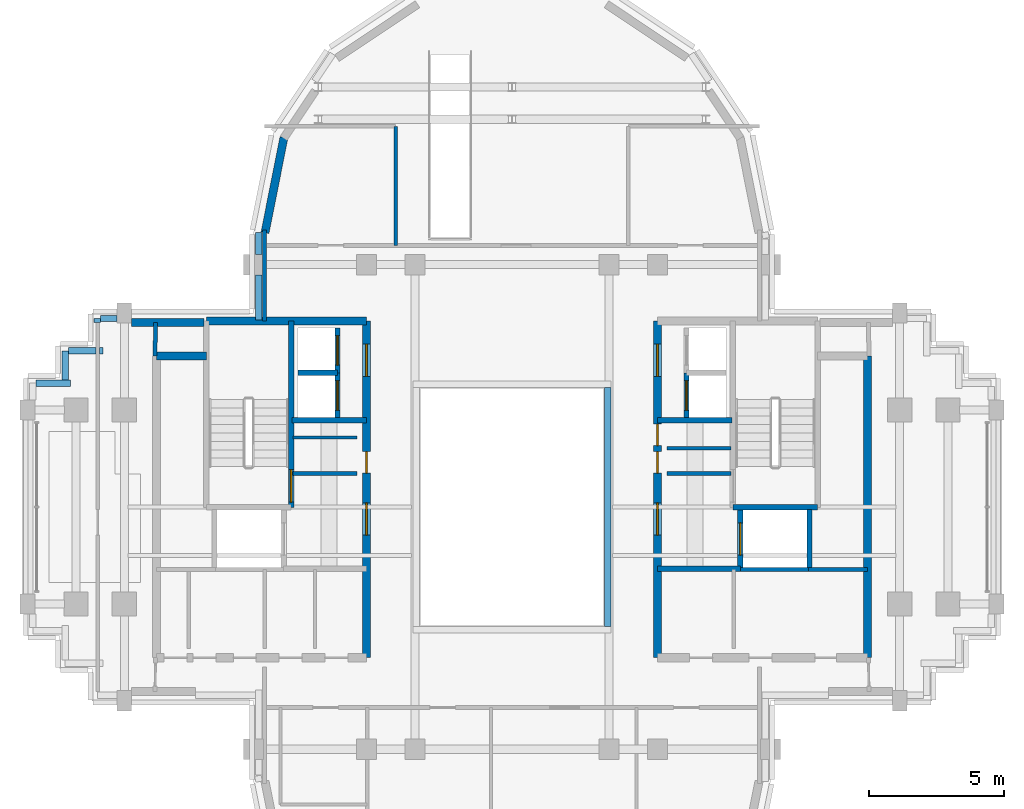
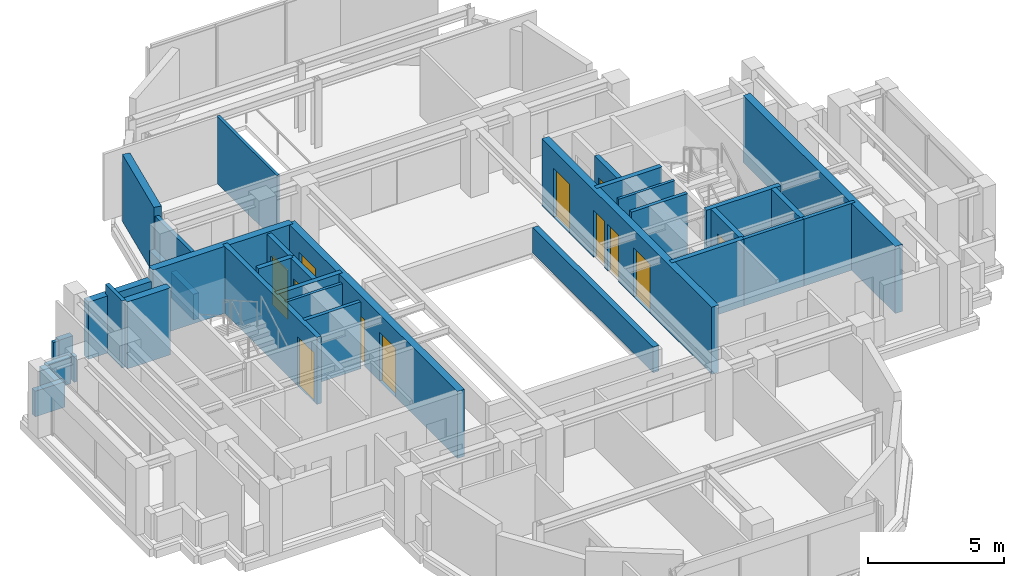
# One storey, part 9 of 12: 36 walls, 12 doors, 12 openings.
"""IFC4 building model written with IfcOpenShell, lengths in metres."""

from ifc_helpers import new_model, si_unit, direction, frame, frame_2d, origin, place, context, subcontext, project, spatial, rectangle, extrude, source, transform, mapped, material, layer, layer_set, type_object, element, fill, save


model = new_model("IFC4")

# Units and contexts
model_context = context("Model", 3, precision=1e-05, world=origin(), true_north=direction((0.0, 1.0)))
body_context = subcontext(model_context, "Body", "Model", "MODEL_VIEW")
ifc_project = project(units=[si_unit("LENGTHUNIT", "METRE"), si_unit("AREAUNIT", "SQUARE_METRE"), si_unit("VOLUMEUNIT", "CUBIC_METRE"), si_unit("PLANEANGLEUNIT", "RADIAN"), si_unit("MASSUNIT", "GRAM", prefix="KILO")], contexts=[model_context])

# Site, building, storey
site_placement = place(None, origin())
site = spatial("IfcSite", under=ifc_project, at=site_placement, CompositionType="ELEMENT")
building_placement = place(site_placement, origin())
building = spatial("IfcBuilding", under=site, at=building_placement, Name="Keilestroom Media Tower", CompositionType="ELEMENT")
storey_placement = place(building_placement, frame((0.0, 0.0, 223.60009765625)))
storey = spatial("IfcBuildingStorey", under=building, at=storey_placement, Name="L61", CompositionType="ELEMENT", Elevation=223.60009765625)

# Walls
ifc_material_1 = material(Name="Precast concrete C40/50", Category="concrete")
ifc_layer_1 = layer(ifc_material_1, 0.300048828125)
ifc_layer_set_1 = layer_set([ifc_layer_1], Name="Precast concrete C40/50")
wall_type_1 = type_object("IfcWallType", Name="Exterior-Masonry-Spandrel-Wall-300", PredefinedType="SOLIDWALL", material=ifc_layer_set_1)
wall_1_placement = place(storey_placement, frame((-14.133056640625, 6.85009765625, 0.0), z_axis=(0.0, 0.0, 1.0), x_axis=(1.0, 0.0, 0.0)))
element("IfcWall", 1, at=wall_1_placement, inside=storey, type_object=wall_type_1, Name="L61 Flank Masonry Wall EWL-L61-NW-1", PredefinedType="SOLIDWALL", context=body_context, shape_type="SweptSolid", body=[
    extrude(rectangle(XDim=2.68505859375, YDim=0.300048828125, at=frame_2d((1.342529296875, 0.0))), origin(), (0.0, 0.0, 1.0), 2.56982421875),
])
wall_2_placement = place(storey_placement, frame((-8.470703125, 13.724609375, 0.0), z_axis=(0.0, 0.0, 1.0), x_axis=(-0.195114232679, -0.980780523974, 0.0)))
element("IfcWall", 2, at=wall_2_placement, inside=storey, type_object=wall_type_1, Name="L61 Lobe Facet Precast Frame Wall 06", PredefinedType="SOLIDWALL", context=body_context, shape_type="SweptSolid", body=[
    extrude(rectangle(XDim=3.608642578125, YDim=0.300048828125, at=frame_2d((1.80419921875, 0.0))), origin(), (0.0, 0.0, 1.0), 3.010009765625),
])
ifc_material_2 = material(Name="Gypsum Plasterboard & Steel Stud", Category="steel")
ifc_layer_2 = layer(ifc_material_2, 0.1201171875)
ifc_layer_set_2 = layer_set([ifc_layer_2], Name="Gypsum Plasterboard & Steel Stud")
wall_type_2 = type_object("IfcWallType", Name="Interior-Partition-Wall-120", PredefinedType="PARTITIONING", material=ifc_layer_set_2)
for number, where, z_axis, x_axis, name in (
    (3, (-8.139892578125, 2.580078125, 0.0), (0.0, 0.0, 1.0), (1.0, 0.0, 0.0), "L61 Interior Wall WP-L61-CNW-N"),
    (4, (5.75, 2.179931640625, 0.0), (0.0, 0.0, 1.0), (1.0, 0.0, 0.0), "L61 Interior Wall WP-L61-CNE-N"),
):
    element("IfcWall", number, at=place(storey_placement, frame(where, z_axis=z_axis, x_axis=x_axis)), inside=storey, type_object=wall_type_2, Name=name, PredefinedType="PARTITIONING", context=body_context, shape_type="SweptSolid", body=[
        extrude(rectangle(XDim=2.389892578125, YDim=0.1201171875, at=frame_2d((1.19482421875, 0.0))), origin(), (0.0, 0.0, 1.0), 3.010009765625),
    ])
wall_3_placement = place(storey_placement, frame((-4.320068359375, 9.719970703125, 0.0), z_axis=(0.0, 0.0, 1.0), x_axis=(0.0, 1.0, 0.0)))
element("IfcWall", 5, at=wall_3_placement, inside=storey, type_object=wall_type_2, Name="L61 Interior Wall WP-L61-NL-VW2", PredefinedType="PARTITIONING", context=body_context, shape_type="SweptSolid", body=[
    extrude(rectangle(XDim=4.419921875, YDim=0.1201171875, at=frame_2d((2.2099609375, 0.0))), origin(), (0.0, 0.0, 1.0), 3.010009765625),
])
ifc_layer_3 = layer(ifc_material_2, 0.14990234375)
ifc_layer_set_3 = layer_set([ifc_layer_3], Name="Gypsum Plasterboard & Steel Stud")
wall_type_3 = type_object("IfcWallType", Name="Interior-Partition-Wall-150", PredefinedType="PARTITIONING", material=ifc_layer_set_3)
for number, where, z_axis, x_axis, name in (
    (6, (-8.139892578125, 1.239990234375, 0.0), (0.0, 0.0, 1.0), (1.0, 0.0, 0.0), "L61 Interior Wall WP-L61-FFW-TOP"),
    (7, (5.75, 1.239990234375, 0.0), (0.0, 0.0, 1.0), (1.0, 0.0, 0.0), "L61 Interior Wall WP-L61-FFE-TOP"),
):
    element("IfcWall", number, at=place(storey_placement, frame(where, z_axis=z_axis, x_axis=x_axis)), inside=storey, type_object=wall_type_3, Name=name, PredefinedType="PARTITIONING", context=body_context, shape_type="SweptSolid", body=[
        extrude(rectangle(XDim=2.389892578125, YDim=0.14990234375, at=frame_2d((1.19482421875, 0.0))), origin(), (0.0, 0.0, 1.0), 3.010009765625),
    ])
wall_4_placement = place(storey_placement, frame((11.02001953125, -2.320068359375, 0.0), z_axis=(0.0, 0.0, 1.0), x_axis=(1.0, 0.0, 0.0)))
element("IfcWall", 8, at=wall_4_placement, inside=storey, type_object=wall_type_3, Name="L61 Interior Wall WP-L61-RECLE-N", PredefinedType="PARTITIONING", context=body_context, shape_type="SweptSolid", body=[
    extrude(rectangle(XDim=2.179931640625, YDim=0.14990234375, at=frame_2d((1.08984375, 0.0))), origin(), (0.0, 0.0, 1.0), 3.010009765625),
])
wall_5_placement = place(storey_placement, frame((8.47998046875, -2.320068359375, 0.0), z_axis=(0.0, 0.0, 1.0), x_axis=(1.0, 0.0, 0.0)))
element("IfcWall", 9, at=wall_5_placement, inside=storey, type_object=wall_type_3, Name="L61 Interior Wall WP-L61-RECME-N", PredefinedType="PARTITIONING", context=body_context, shape_type="SweptSolid", body=[
    extrude(rectangle(XDim=2.56005859375, YDim=0.14990234375, at=frame_2d((1.280029296875, 0.0))), origin(), (0.0, 0.0, 1.0), 3.010009765625),
])
wall_6_placement = place(storey_placement, frame((-9.199951171875, 6.89990234375, 0.0), z_axis=(0.0, 0.0, 1.0), x_axis=(0.0, 1.0, 0.0)))
element("IfcWall", 10, at=wall_6_placement, inside=storey, type_object=wall_type_3, Name="L61 Interior Wall WP-L61-NL-CHKW", PredefinedType="PARTITIONING", context=body_context, shape_type="SweptSolid", body=[
    extrude(rectangle(XDim=3.380126953125, YDim=0.14990234375, at=frame_2d((1.68994140625, 0.0))), origin(), (0.0, 0.0, 1.0), 2.60986328125),
])
wall_7_placement = place(storey_placement, frame((-13.260009765625, 5.60009765625, 0.0), z_axis=(0.0, 0.0, 1.0), x_axis=(0.016013571389, 0.999871774545, 0.0)))
element("IfcWall", 11, at=wall_7_placement, inside=storey, type_object=wall_type_3, Name="L61 Interior Wall WP-L61-WA-ENTN", PredefinedType="PARTITIONING", context=body_context, shape_type="SweptSolid", body=[
    extrude(rectangle(XDim=1.250244140625, YDim=0.14990234375, at=frame_2d((0.625, 0.0))), origin(), (0.0, 0.0, 1.0), 3.010009765625),
])

# Wall, openings, doors
ifc_material_3 = material(Name="Concrete C50/60", Category="concrete")
ifc_layer_4 = layer(ifc_material_3, 0.300048828125)
ifc_layer_set_4 = layer_set([ifc_layer_4], Name="Concrete C50/60")
wall_type_4 = type_object("IfcWallType", Name="Reinforced-Concrete-Core-Shear-Wall-300", PredefinedType="SHEAR", material=ifc_layer_set_4)
wall_8_placement = place(storey_placement, frame((-5.39990234375, -5.60009765625, 0.0), z_axis=(0.0, 0.0, 1.0), x_axis=(0.0, 1.0, 0.0)))
wall_8 = element("IfcWall", 12, at=wall_8_placement, inside=storey, type_object=wall_type_4, Name="L61 Core Shear Wall WL-L61-CORE-W-IN", PredefinedType="SHEAR", context=body_context, shape_type="SweptSolid", body=[
    extrude(rectangle(XDim=12.5, YDim=0.300048828125, at=frame_2d((6.25, 0.0))), origin(), (0.0, 0.0, 1.0), 3.010009765625),
])
opening_1_placement = place(wall_8_placement, frame((4.550048828125, 0.0, 0.0)))
opening_1 = element("IfcOpeningElement", 13, at=opening_1_placement, cuts=wall_8, Name="Opening DI-02", PredefinedType="OPENING", context=body_context, shape_type="SweptSolid", body=[
    extrude(rectangle(XDim=1.199951171875, YDim=2.199951171875, at=frame_2d((0.60009765625, 1.10009765625))), frame((0.0, 0.16015625, 0.0), z_axis=(0.0, -1.0, 0.0), x_axis=(1.0, 0.0, 0.0)), (0.0, 0.0, 1.0), 0.320068359375),
])
opening_2_placement = place(wall_8_placement, frame((10.449951171875, 0.0, 0.0)))
opening_2 = element("IfcOpeningElement", 14, at=opening_2_placement, cuts=wall_8, Name="Opening DI-02", PredefinedType="OPENING", context=body_context, shape_type="SweptSolid", body=[
    extrude(rectangle(XDim=1.199951171875, YDim=2.199951171875, at=frame_2d((0.60009765625, 1.10009765625))), frame((0.0, 0.16015625, 0.0), z_axis=(0.0, -1.0, 0.0), x_axis=(1.0, 0.0, 0.0)), (0.0, 0.0, 1.0), 0.320068359375),
])
opening_3_placement = place(wall_8_placement, frame((6.860107421875, 0.0, 0.0)))
opening_3 = element("IfcOpeningElement", 15, at=opening_3_placement, cuts=wall_8, Name="Opening DI-06", PredefinedType="OPENING", context=body_context, shape_type="SweptSolid", body=[
    extrude(rectangle(XDim=0.800048828125, YDim=2.10009765625, at=frame_2d((0.39990234375, 1.050048828125))), frame((0.0, 0.16015625, 0.0), z_axis=(0.0, -1.0, 0.0), x_axis=(1.0, 0.0, 0.0)), (0.0, 0.0, 1.0), 0.320068359375),
])
ifc_material_4 = material(Name="Powder-Coated Steel Fire Leaf", Category="steel")
door_type_1 = type_object("IfcDoorType", Name="Interior-Compartment-Fire-Door-DI-02", OperationType="NOTDEFINED", PredefinedType="DOOR", material=ifc_material_4)
shared_shape_1 = source(origin(), body_context, "Body", "SweptSolid", [
    extrude(rectangle(XDim=1.199951171875, YDim=2.199951171875, at=frame_2d((0.60009765625, 1.10009765625))), frame((0.0, 0.02490234375, 0.0), z_axis=(0.0, -1.0, 0.0), x_axis=(1.0, 0.0, 0.0)), (0.0, 0.0, 1.0), 0.050048828125),
])
door_1_placement = place(opening_1_placement, origin())
door_1 = element("IfcDoor", 16, at=door_1_placement, inside=storey, type_object=door_type_1, Name="L61 W Firefighting Lobby Door", OperationType="SINGLE_SWING_RIGHT", OverallHeight=2.199951171875, OverallWidth=1.199951171875, PredefinedType="DOOR", context=body_context, shape_type="MappedRepresentation", body=[
    mapped(shared_shape_1, transform((0.0, 0.0, 0.0), x_axis=(1.0, 0.0, 0.0), y_axis=(0.0, 1.0, 0.0), z_axis=(0.0, 0.0, 1.0), scale=1.0)),
])
fill(opening_1, door_1)
door_2_placement = place(opening_2_placement, origin())
door_2 = element("IfcDoor", 17, at=door_2_placement, inside=storey, type_object=door_type_1, Name="L61 W High-Rise Lift Lobby Door", OperationType="SINGLE_SWING_LEFT", OverallHeight=2.199951171875, OverallWidth=1.199951171875, PredefinedType="DOOR", context=body_context, shape_type="MappedRepresentation", body=[
    mapped(shared_shape_1, transform((0.0, 0.0, 0.0), x_axis=(1.0, 0.0, 0.0), y_axis=(0.0, 1.0, 0.0), z_axis=(0.0, 0.0, 1.0), scale=1.0)),
])
fill(opening_2, door_2)
ifc_material_5 = material(Name="Powder-Coated Steel Service Leaf", Category="steel")
door_type_2 = type_object("IfcDoorType", Name="Interior-Riser-Access-Door-DI-06", OperationType="NOTDEFINED", PredefinedType="DOOR", material=ifc_material_5)
shared_shape_2 = source(origin(), body_context, "Body", "SweptSolid", [
    extrude(rectangle(XDim=0.800048828125, YDim=2.10009765625, at=frame_2d((0.39990234375, 1.050048828125))), frame((0.0, 0.02490234375, 0.0), z_axis=(0.0, -1.0, 0.0), x_axis=(1.0, 0.0, 0.0)), (0.0, 0.0, 1.0), 0.050048828125),
])
door_3_placement = place(opening_3_placement, origin())
door_3 = element("IfcDoor", 18, at=door_3_placement, inside=storey, type_object=door_type_2, Name="L61 West Core Switchroom Door", OperationType="SINGLE_SWING_LEFT", OverallHeight=2.10009765625, OverallWidth=0.800048828125, PredefinedType="DOOR", context=body_context, shape_type="MappedRepresentation", body=[
    mapped(shared_shape_2, transform((0.0, 0.0, 0.0), x_axis=(1.0, 0.0, 0.0), y_axis=(0.0, 1.0, 0.0), z_axis=(0.0, 0.0, 1.0), scale=1.0)),
])
fill(opening_3, door_3)

# Walls
wall_9_placement = place(storey_placement, frame((-11.35595703125, 6.89990234375, 0.0), z_axis=(0.0, 0.0, 1.0), x_axis=(1.0, 0.0, 0.0)))
element("IfcWall", 19, at=wall_9_placement, inside=storey, type_object=wall_type_4, Name="L61 Core Shear Wall WL-L61-CORE-W-N", PredefinedType="SHEAR", context=body_context, shape_type="SweptSolid", body=[
    extrude(rectangle(XDim=5.9560546875, YDim=0.300048828125, at=frame_2d((2.97802734375, 0.0))), origin(), (0.0, 0.0, 1.0), 3.010009765625),
])
wall_10_placement = place(storey_placement, frame((-13.199951171875, 5.60009765625, 0.0), z_axis=(0.0, 0.0, 1.0), x_axis=(1.0, 0.0, 0.0)))
element("IfcWall", 20, at=wall_10_placement, inside=storey, type_object=wall_type_4, Name="L61 Core Shear Wall WL-L61-CNW-N", PredefinedType="SHEAR", context=body_context, shape_type="SweptSolid", body=[
    extrude(rectangle(XDim=1.843994140625, YDim=0.300048828125, at=frame_2d((0.921875, 0.0))), origin(), (0.0, 0.0, 1.0), 3.010009765625),
])
wall_11_placement = place(storey_placement, frame((13.199951171875, -5.60009765625, 0.0), z_axis=(0.0, 0.0, 1.0), x_axis=(0.0, 1.0, 0.0)))
element("IfcWall", 21, at=wall_11_placement, inside=storey, type_object=wall_type_4, Name="L61 Core Shear Wall WL-L61-CORE-E-OUT", PredefinedType="SHEAR", context=body_context, shape_type="SweptSolid", body=[
    extrude(rectangle(XDim=11.2001953125, YDim=0.300048828125, at=frame_2d((5.60009765625, 0.0))), origin(), (0.0, 0.0, 1.0), 3.010009765625),
])

# Wall, openings, doors
wall_12_placement = place(storey_placement, frame((5.39990234375, -5.60009765625, 0.0), z_axis=(0.0, 0.0, 1.0), x_axis=(0.0, 1.0, 0.0)))
wall_12 = element("IfcWall", 22, at=wall_12_placement, inside=storey, type_object=wall_type_4, Name="L61 Core Shear Wall WL-L61-CORE-E-IN", PredefinedType="SHEAR", context=body_context, shape_type="SweptSolid", body=[
    extrude(rectangle(XDim=12.5, YDim=0.300048828125, at=frame_2d((6.25, 0.0))), origin(), (0.0, 0.0, 1.0), 3.010009765625),
])
opening_4_placement = place(wall_12_placement, frame((4.550048828125, 0.0, 0.0)))
opening_4 = element("IfcOpeningElement", 23, at=opening_4_placement, cuts=wall_12, Name="Opening DI-02", PredefinedType="OPENING", context=body_context, shape_type="SweptSolid", body=[
    extrude(rectangle(XDim=1.199951171875, YDim=2.199951171875, at=frame_2d((0.60009765625, 1.10009765625))), frame((0.0, 0.16015625, 0.0), z_axis=(0.0, -1.0, 0.0), x_axis=(1.0, 0.0, 0.0)), (0.0, 0.0, 1.0), 0.320068359375),
])
opening_5_placement = place(wall_12_placement, frame((10.449951171875, 0.0, 0.0)))
opening_5 = element("IfcOpeningElement", 24, at=opening_5_placement, cuts=wall_12, Name="Opening DI-02", PredefinedType="OPENING", context=body_context, shape_type="SweptSolid", body=[
    extrude(rectangle(XDim=1.199951171875, YDim=2.199951171875, at=frame_2d((0.60009765625, 1.10009765625))), frame((0.0, 0.16015625, 0.0), z_axis=(0.0, -1.0, 0.0), x_axis=(1.0, 0.0, 0.0)), (0.0, 0.0, 1.0), 0.320068359375),
])
opening_6_placement = place(wall_12_placement, frame((6.860107421875, 0.0, 0.0)))
opening_6 = element("IfcOpeningElement", 25, at=opening_6_placement, cuts=wall_12, Name="Opening DI-06", PredefinedType="OPENING", context=body_context, shape_type="SweptSolid", body=[
    extrude(rectangle(XDim=0.800048828125, YDim=2.10009765625, at=frame_2d((0.39990234375, 1.050048828125))), frame((0.0, 0.16015625, 0.0), z_axis=(0.0, -1.0, 0.0), x_axis=(1.0, 0.0, 0.0)), (0.0, 0.0, 1.0), 0.320068359375),
])
opening_7_placement = place(wall_12_placement, frame((7.8798828125, 0.0, 0.0)))
opening_7 = element("IfcOpeningElement", 26, at=opening_7_placement, cuts=wall_12, Name="Opening DI-06", PredefinedType="OPENING", context=body_context, shape_type="SweptSolid", body=[
    extrude(rectangle(XDim=0.800048828125, YDim=2.10009765625, at=frame_2d((0.39990234375, 1.050048828125))), frame((0.0, 0.16015625, 0.0), z_axis=(0.0, -1.0, 0.0), x_axis=(1.0, 0.0, 0.0)), (0.0, 0.0, 1.0), 0.320068359375),
])
door_4_placement = place(opening_4_placement, origin())
door_4 = element("IfcDoor", 27, at=door_4_placement, inside=storey, type_object=door_type_1, Name="L61 E Firefighting Lobby Door", OperationType="SINGLE_SWING_LEFT", OverallHeight=2.199951171875, OverallWidth=1.199951171875, PredefinedType="DOOR", context=body_context, shape_type="MappedRepresentation", body=[
    mapped(shared_shape_1, transform((0.0, 0.0, 0.0), x_axis=(1.0, 0.0, 0.0), y_axis=(0.0, 1.0, 0.0), z_axis=(0.0, 0.0, 1.0), scale=1.0)),
])
fill(opening_4, door_4)
door_5_placement = place(opening_5_placement, origin())
door_5 = element("IfcDoor", 28, at=door_5_placement, inside=storey, type_object=door_type_1, Name="L61 E High-Rise Lift Lobby Door", OperationType="SINGLE_SWING_RIGHT", OverallHeight=2.199951171875, OverallWidth=1.199951171875, PredefinedType="DOOR", context=body_context, shape_type="MappedRepresentation", body=[
    mapped(shared_shape_1, transform((0.0, 0.0, 0.0), x_axis=(1.0, 0.0, 0.0), y_axis=(0.0, 1.0, 0.0), z_axis=(0.0, 0.0, 1.0), scale=1.0)),
])
fill(opening_5, door_5)
door_6_placement = place(opening_6_placement, origin())
door_6 = element("IfcDoor", 29, at=door_6_placement, inside=storey, type_object=door_type_2, Name="L61 East Core Telecom Door", OperationType="SINGLE_SWING_RIGHT", OverallHeight=2.10009765625, OverallWidth=0.800048828125, PredefinedType="DOOR", context=body_context, shape_type="MappedRepresentation", body=[
    mapped(shared_shape_2, transform((0.0, 0.0, 0.0), x_axis=(1.0, 0.0, 0.0), y_axis=(0.0, 1.0, 0.0), z_axis=(0.0, 0.0, 1.0), scale=1.0)),
])
fill(opening_6, door_6)
door_7_placement = place(opening_7_placement, origin())
door_7 = element("IfcDoor", 30, at=door_7_placement, inside=storey, type_object=door_type_2, Name="L61 East Core Closet Door", OperationType="SINGLE_SWING_RIGHT", OverallHeight=2.10009765625, OverallWidth=0.800048828125, PredefinedType="DOOR", context=body_context, shape_type="MappedRepresentation", body=[
    mapped(shared_shape_2, transform((0.0, 0.0, 0.0), x_axis=(1.0, 0.0, 0.0), y_axis=(0.0, 1.0, 0.0), z_axis=(0.0, 0.0, 1.0), scale=1.0)),
])
fill(opening_7, door_7)

# Wall
ifc_layer_5 = layer(ifc_material_3, 0.199951171875)
ifc_layer_set_5 = layer_set([ifc_layer_5], Name="Concrete C50/60")
wall_type_5 = type_object("IfcWallType", Name="Reinforced-Concrete-Shaft-Wall-200", PredefinedType="SOLIDWALL", material=ifc_layer_set_5)
wall_13_placement = place(storey_placement, frame((-8.179931640625, 3.219970703125, 0.0), z_axis=(0.0, 0.0, 1.0), x_axis=(1.0, 0.0, 0.0)))
element("IfcWall", 31, at=wall_13_placement, inside=storey, type_object=wall_type_5, Name="L61 Core Shear Wall WL-L61-CORE-W-FFN", PredefinedType="SOLIDWALL", context=body_context, shape_type="SweptSolid", body=[
    extrude(rectangle(XDim=2.780029296875, YDim=0.199951171875, at=frame_2d((1.39013671875, 0.0))), origin(), (0.0, 0.0, 1.0), 3.010009765625),
])

# Wall, opening, door
wall_14_placement = place(storey_placement, frame((-8.2041015625, -0.01611328125, 0.0), z_axis=(0.0, 0.0, 1.0), x_axis=(0.0, 1.0, 0.0)))
wall_14 = element("IfcWall", 32, at=wall_14_placement, inside=storey, type_object=wall_type_5, Name="L61 Core Shear Wall WL-L61-STW-W-NEAR", PredefinedType="SOLIDWALL", context=body_context, shape_type="SweptSolid", body=[
    extrude(rectangle(XDim=6.916015625, YDim=0.199951171875, at=frame_2d((3.4580078125, 0.0))), origin(), (0.0, 0.0, 1.0), 3.010009765625),
])
opening_8_placement = place(wall_14_placement, frame((0.199951171875, 0.0, 0.0)))
opening_8 = element("IfcOpeningElement", 33, at=opening_8_placement, cuts=wall_14, Name="Opening DI-01S", PredefinedType="OPENING", context=body_context, shape_type="SweptSolid", body=[
    extrude(rectangle(XDim=1.199951171875, YDim=2.199951171875, at=frame_2d((0.60009765625, 1.10009765625))), frame((0.0, 0.10986328125, 0.0), z_axis=(0.0, -1.0, 0.0), x_axis=(1.0, 0.0, 0.0)), (0.0, 0.0, 1.0), 0.219970703125),
])
door_type_3 = type_object("IfcDoorType", Name="Interior-Stair-And-Core-Fire-Door-DI-01", OperationType="NOTDEFINED", PredefinedType="DOOR", material=ifc_material_4)
door_8_placement = place(opening_8_placement, origin())
door_8 = element("IfcDoor", 34, at=door_8_placement, inside=storey, type_object=door_type_3, Name="L61 Escape Stair ST-1 Fire Door", OperationType="SINGLE_SWING_LEFT", OverallHeight=2.199951171875, OverallWidth=1.199951171875, PredefinedType="DOOR", context=body_context, shape_type="MappedRepresentation", body=[
    mapped(shared_shape_1, transform((0.0, 0.0, 0.0), x_axis=(1.0, 0.0, 0.0), y_axis=(0.0, 1.0, 0.0), z_axis=(0.0, 0.0, 1.0), scale=1.0)),
])
fill(opening_8, door_8)

# Walls
wall_15_placement = place(storey_placement, frame((5.39990234375, 3.219970703125, 0.0), z_axis=(0.0, 0.0, 1.0), x_axis=(1.0, 0.0, 0.0)))
element("IfcWall", 35, at=wall_15_placement, inside=storey, type_object=wall_type_5, Name="L61 Core Shear Wall WL-L61-CORE-E-FFN", PredefinedType="SOLIDWALL", context=body_context, shape_type="SweptSolid", body=[
    extrude(rectangle(XDim=2.780029296875, YDim=0.199951171875, at=frame_2d((1.39013671875, 0.0))), origin(), (0.0, 0.0, 1.0), 3.010009765625),
])
wall_16_placement = place(storey_placement, frame((5.39990234375, -2.300048828125, 0.0), z_axis=(0.0, 0.0, 1.0), x_axis=(1.0, 0.0, 0.0)))
element("IfcWall", 36, at=wall_16_placement, inside=storey, type_object=wall_type_5, Name="L61 Core Shear Wall WL-L61-CORE-E-FFS", PredefinedType="SOLIDWALL", context=body_context, shape_type="SweptSolid", body=[
    extrude(rectangle(XDim=3.080078125, YDim=0.199951171875, at=frame_2d((1.5400390625, 0.0))), origin(), (0.0, 0.0, 1.0), 3.010009765625),
])
wall_17_placement = place(storey_placement, frame((8.2041015625, -0.01611328125, 0.0), z_axis=(0.0, 0.0, 1.0), x_axis=(1.0, 0.0, 0.0)))
element("IfcWall", 37, at=wall_17_placement, inside=storey, type_object=wall_type_5, Name="L61 Core Shear Wall WL-L61-STW-E-S", PredefinedType="SOLIDWALL", context=body_context, shape_type="SweptSolid", body=[
    extrude(rectangle(XDim=3.15185546875, YDim=0.199951171875, at=frame_2d((1.575927734375, 0.0))), origin(), (0.0, 0.0, 1.0), 3.010009765625),
])

# Wall, opening, door
wall_18_placement = place(storey_placement, frame((8.47998046875, -2.280029296875, 0.0), z_axis=(0.0, 0.0, 1.0), x_axis=(0.0, 1.0, 0.0)))
wall_18 = element("IfcWall", 38, at=wall_18_placement, inside=storey, type_object=wall_type_5, Name="L61 Core Shear Wall WL-L61-LSH-FFL-2-W", PredefinedType="SOLIDWALL", context=body_context, shape_type="SweptSolid", body=[
    extrude(rectangle(XDim=2.179931640625, YDim=0.199951171875, at=frame_2d((1.08984375, 0.0))), origin(), (0.0, 0.0, 1.0), 3.010009765625),
])
opening_9_placement = place(wall_18_placement, frame((0.489990234375, 0.0, 0.0)))
opening_9 = element("IfcOpeningElement", 39, at=opening_9_placement, cuts=wall_18, Name="Opening LD-02", PredefinedType="OPENING", context=body_context, shape_type="SweptSolid", body=[
    extrude(rectangle(XDim=1.199951171875, YDim=2.199951171875, at=frame_2d((0.60009765625, 1.10009765625))), frame((0.0, 0.10986328125, 0.0), z_axis=(0.0, -1.0, 0.0), x_axis=(1.0, 0.0, 0.0)), (0.0, 0.0, 1.0), 0.219970703125),
])
ifc_material_6 = material(Name="Brushed Stainless Steel Sliding Leaf", Category="steel")
door_type_4 = type_object("IfcDoorType", Name="Lift-Landing-Sliding-Door-LD-02", OperationType="SLIDING_TO_RIGHT", PredefinedType="DOOR", material=ifc_material_6)
door_9_placement = place(opening_9_placement, origin())
door_9 = element("IfcDoor", 40, at=door_9_placement, inside=storey, type_object=door_type_4, Name="L61 Lift FFL-2 Landing Sliding Door", OperationType="SLIDING_TO_RIGHT", OverallHeight=2.199951171875, OverallWidth=1.199951171875, PredefinedType="DOOR", context=body_context, shape_type="MappedRepresentation", body=[
    mapped(shared_shape_1, transform((0.0, 0.0, 0.0), x_axis=(1.0, 0.0, 0.0), y_axis=(0.0, 1.0, 0.0), z_axis=(0.0, 0.0, 1.0), scale=1.0)),
])
fill(opening_9, door_9)

# Wall
wall_19_placement = place(storey_placement, frame((11.050048828125, -2.280029296875, 0.0), z_axis=(0.0, 0.0, 1.0), x_axis=(0.0, 1.0, 0.0)))
element("IfcWall", 41, at=wall_19_placement, inside=storey, type_object=wall_type_5, Name="L61 Core Shear Wall WL-L61-LSH-FFL-2-E", PredefinedType="SOLIDWALL", context=body_context, shape_type="SweptSolid", body=[
    extrude(rectangle(XDim=2.179931640625, YDim=0.199951171875, at=frame_2d((1.08984375, 0.0))), origin(), (0.0, 0.0, 1.0), 3.010009765625),
])

# Wall, opening, door
wall_20_placement = place(storey_placement, frame((-6.47998046875, 3.300048828125, 0.0), z_axis=(0.0, 0.0, 1.0), x_axis=(0.0, 1.0, 0.0)))
wall_20 = element("IfcWall", 42, at=wall_20_placement, inside=storey, type_object=wall_type_5, Name="L61 Core Shear Wall WL-L61-LSH-PL-H1-E", PredefinedType="SOLIDWALL", context=body_context, shape_type="SweptSolid", body=[
    extrude(rectangle(XDim=1.679931640625, YDim=0.199951171875, at=frame_2d((0.83984375, 0.0))), origin(), (0.0, 0.0, 1.0), 3.010009765625),
])
opening_10_placement = place(wall_20_placement, frame((0.2900390625, 0.0, 0.0)))
opening_10 = element("IfcOpeningElement", 43, at=opening_10_placement, cuts=wall_20, Name="Opening LD-01", PredefinedType="OPENING", context=body_context, shape_type="SweptSolid", body=[
    extrude(rectangle(XDim=1.10009765625, YDim=2.199951171875, at=frame_2d((0.550048828125, 1.10009765625))), frame((0.0, 0.10986328125, 0.0), z_axis=(0.0, -1.0, 0.0), x_axis=(1.0, 0.0, 0.0)), (0.0, 0.0, 1.0), 0.219970703125),
])
door_type_5 = type_object("IfcDoorType", Name="Lift-Landing-Sliding-Door-LD-01", OperationType="SLIDING_TO_LEFT", PredefinedType="DOOR", material=ifc_material_6)
shared_shape_3 = source(origin(), body_context, "Body", "SweptSolid", [
    extrude(rectangle(XDim=1.10009765625, YDim=2.199951171875, at=frame_2d((0.550048828125, 1.10009765625))), frame((0.0, 0.02490234375, 0.0), z_axis=(0.0, -1.0, 0.0), x_axis=(1.0, 0.0, 0.0)), (0.0, 0.0, 1.0), 0.050048828125),
])
door_10_placement = place(opening_10_placement, origin())
door_10 = element("IfcDoor", 44, at=door_10_placement, inside=storey, type_object=door_type_5, Name="L61 Lift PL-H1 Landing Sliding Door", OperationType="SLIDING_TO_LEFT", OverallHeight=2.199951171875, OverallWidth=1.10009765625, PredefinedType="DOOR", context=body_context, shape_type="MappedRepresentation", body=[
    mapped(shared_shape_3, transform((0.0, 0.0, 0.0), x_axis=(1.0, 0.0, 0.0), y_axis=(0.0, 1.0, 0.0), z_axis=(0.0, 0.0, 1.0), scale=1.0)),
])
fill(opening_10, door_10)

# Wall
wall_21_placement = place(storey_placement, frame((-7.949951171875, 4.97998046875, 0.0), z_axis=(0.0, 0.0, 1.0), x_axis=(1.0, 0.0, 0.0)))
element("IfcWall", 45, at=wall_21_placement, inside=storey, type_object=wall_type_5, Name="L61 Core Shear Wall WL-L61-LSH-PL-H1-N", PredefinedType="SOLIDWALL", context=body_context, shape_type="SweptSolid", body=[
    extrude(rectangle(XDim=1.469970703125, YDim=0.199951171875, at=frame_2d((0.73486328125, 0.0))), origin(), (0.0, 0.0, 1.0), 3.010009765625),
])

# Wall, opening, door
wall_22_placement = place(storey_placement, frame((-6.47998046875, 4.97998046875, 0.0), z_axis=(0.0, 0.0, 1.0), x_axis=(0.0, 1.0, 0.0)))
wall_22 = element("IfcWall", 46, at=wall_22_placement, inside=storey, type_object=wall_type_5, Name="L61 Core Shear Wall WL-L61-LSH-PL-H2-E", PredefinedType="SOLIDWALL", context=body_context, shape_type="SweptSolid", body=[
    extrude(rectangle(XDim=1.669921875, YDim=0.199951171875, at=frame_2d((0.8349609375, 0.0))), origin(), (0.0, 0.0, 1.0), 3.010009765625),
])
opening_11_placement = place(wall_22_placement, frame((0.284912109375, 0.0, 0.0)))
opening_11 = element("IfcOpeningElement", 47, at=opening_11_placement, cuts=wall_22, Name="Opening LD-01", PredefinedType="OPENING", context=body_context, shape_type="SweptSolid", body=[
    extrude(rectangle(XDim=1.10009765625, YDim=2.199951171875, at=frame_2d((0.550048828125, 1.10009765625))), frame((0.0, 0.10986328125, 0.0), z_axis=(0.0, -1.0, 0.0), x_axis=(1.0, 0.0, 0.0)), (0.0, 0.0, 1.0), 0.219970703125),
])
door_11_placement = place(opening_11_placement, origin())
door_11 = element("IfcDoor", 48, at=door_11_placement, inside=storey, type_object=door_type_5, Name="L61 Lift PL-H2 Landing Sliding Door", OperationType="SLIDING_TO_LEFT", OverallHeight=2.199951171875, OverallWidth=1.10009765625, PredefinedType="DOOR", context=body_context, shape_type="MappedRepresentation", body=[
    mapped(shared_shape_3, transform((0.0, 0.0, 0.0), x_axis=(1.0, 0.0, 0.0), y_axis=(0.0, 1.0, 0.0), z_axis=(0.0, 0.0, 1.0), scale=1.0)),
])
fill(opening_11, door_11)

wall_23_placement = place(storey_placement, frame((6.47998046875, 3.300048828125, 0.0), z_axis=(0.0, 0.0, 1.0), x_axis=(0.0, 1.0, 0.0)))
wall_23 = element("IfcWall", 49, at=wall_23_placement, inside=storey, type_object=wall_type_5, Name="L61 Core Shear Wall WL-L61-LSH-PL-H3-W", PredefinedType="SOLIDWALL", context=body_context, shape_type="SweptSolid", body=[
    extrude(rectangle(XDim=1.679931640625, YDim=0.199951171875, at=frame_2d((0.83984375, 0.0))), origin(), (0.0, 0.0, 1.0), 3.010009765625),
])
opening_12_placement = place(wall_23_placement, frame((0.2900390625, 0.0, 0.0)))
opening_12 = element("IfcOpeningElement", 50, at=opening_12_placement, cuts=wall_23, Name="Opening LD-01", PredefinedType="OPENING", context=body_context, shape_type="SweptSolid", body=[
    extrude(rectangle(XDim=1.10009765625, YDim=2.199951171875, at=frame_2d((0.550048828125, 1.10009765625))), frame((0.0, 0.10986328125, 0.0), z_axis=(0.0, -1.0, 0.0), x_axis=(1.0, 0.0, 0.0)), (0.0, 0.0, 1.0), 0.219970703125),
])
door_12_placement = place(opening_12_placement, origin())
door_12 = element("IfcDoor", 51, at=door_12_placement, inside=storey, type_object=door_type_5, Name="L61 Lift PL-H3 Landing Sliding Door", OperationType="SLIDING_TO_LEFT", OverallHeight=2.199951171875, OverallWidth=1.10009765625, PredefinedType="DOOR", context=body_context, shape_type="MappedRepresentation", body=[
    mapped(shared_shape_3, transform((0.0, 0.0, 0.0), x_axis=(1.0, 0.0, 0.0), y_axis=(0.0, 1.0, 0.0), z_axis=(0.0, 0.0, 1.0), scale=1.0)),
])
fill(opening_12, door_12)

# Walls
ifc_layer_6 = layer(ifc_material_1, 0.239990234375)
ifc_layer_set_6 = layer_set([ifc_layer_6], Name="Precast concrete C40/50")
wall_type_6 = type_object("IfcWallType", Name="Roof-And-Terrace-Parapet-Wall-240", PredefinedType="PARAPET", material=ifc_layer_set_6)
wall_24_placement = place(storey_placement, frame((-17.677001953125, 4.60009765625, 0.0), z_axis=(0.0, 0.0, 1.0), x_axis=(1.0, 0.0, 0.0)))
element("IfcWall", 52, at=wall_24_placement, inside=storey, type_object=wall_type_6, Name="L61 Perimeter Edge Parapet Wall 20", PredefinedType="PARAPET", context=body_context, shape_type="SweptSolid", body=[
    extrude(rectangle(XDim=1.277099609375, YDim=0.239990234375, at=frame_2d((0.638671875, 0.0))), origin(), (0.0, 0.0, 1.0), 1.14990234375),
])
wall_25_placement = place(storey_placement, frame((-16.60009765625, 4.722900390625, 0.0), z_axis=(0.0, 0.0, 1.0), x_axis=(0.0, 1.0, 0.0)))
element("IfcWall", 53, at=wall_25_placement, inside=storey, type_object=wall_type_6, Name="L61 Perimeter Edge Parapet Wall 21", PredefinedType="PARAPET", context=body_context, shape_type="SweptSolid", body=[
    extrude(rectangle(XDim=1.0771484375, YDim=0.239990234375, at=frame_2d((0.53857421875, 0.0))), origin(), (0.0, 0.0, 1.0), 1.14990234375),
])
wall_26_placement = place(storey_placement, frame((-16.47705078125, 5.800048828125, 0.0), z_axis=(0.0, 0.0, 1.0), x_axis=(1.0, 0.0, 0.0)))
element("IfcWall", 54, at=wall_26_placement, inside=storey, type_object=wall_type_6, Name="L61 Perimeter Edge Parapet Wall 22", PredefinedType="PARAPET", context=body_context, shape_type="SweptSolid", body=[
    extrude(rectangle(XDim=1.024169921875, YDim=0.239990234375, at=frame_2d((0.51220703125, 0.0))), origin(), (0.0, 0.0, 1.0), 1.14990234375),
])
wall_27_placement = place(storey_placement, frame((-15.326904296875, 5.800048828125, 0.0), z_axis=(0.0, 0.0, 1.0), x_axis=(1.0, 0.0, 0.0)))
element("IfcWall", 55, at=wall_27_placement, inside=storey, type_object=wall_type_6, Name="L61 Perimeter Edge Parapet Wall 23", PredefinedType="PARAPET", context=body_context, shape_type="SweptSolid", body=[
    extrude(rectangle(XDim=0.126953125, YDim=0.239990234375, at=frame_2d((0.0634765625, 0.0))), origin(), (0.0, 0.0, 1.0), 1.14990234375),
])
wall_28_placement = place(storey_placement, frame((-15.39990234375, 6.85302734375, 0.0), z_axis=(0.0, 0.0, 1.0), x_axis=(0.0, 1.0, 0.0)))
element("IfcWall", 56, at=wall_28_placement, inside=storey, type_object=wall_type_6, Name="L61 Perimeter Edge Parapet Wall 24", PredefinedType="PARAPET", context=body_context, shape_type="SweptSolid", body=[
    extrude(rectangle(XDim=0.14697265625, YDim=0.239990234375, at=frame_2d((0.073486328125, 0.0))), origin(), (0.0, 0.0, 1.0), 1.14990234375),
])
wall_29_placement = place(storey_placement, frame((-15.277099609375, 7.0, 0.0), z_axis=(0.0, 0.0, 1.0), x_axis=(1.0, 0.0, 0.0)))
element("IfcWall", 57, at=wall_29_placement, inside=storey, type_object=wall_type_6, Name="L61 Perimeter Edge Parapet Wall 25", PredefinedType="PARAPET", context=body_context, shape_type="SweptSolid", body=[
    extrude(rectangle(XDim=0.59912109375, YDim=0.239990234375, at=frame_2d((0.299560546875, 0.0))), origin(), (0.0, 0.0, 1.0), 1.14990234375),
])
wall_30_placement = place(storey_placement, frame((-9.39990234375, 6.952880859375, 0.0), z_axis=(0.0, 0.0, 1.0), x_axis=(0.0, 1.0, 0.0)))
element("IfcWall", 58, at=wall_30_placement, inside=storey, type_object=wall_type_6, Name="L61 Perimeter Edge Parapet Wall 26", PredefinedType="PARAPET", context=body_context, shape_type="SweptSolid", body=[
    extrude(rectangle(XDim=1.669189453125, YDim=0.239990234375, at=frame_2d((0.83447265625, 0.0))), origin(), (0.0, 0.0, 1.0), 1.14990234375),
])
wall_31_placement = place(storey_placement, frame((-9.39990234375, 9.3779296875, 0.0), z_axis=(0.0, 0.0, 1.0), x_axis=(0.0, 1.0, 0.0)))
element("IfcWall", 59, at=wall_31_placement, inside=storey, type_object=wall_type_6, Name="L61 Perimeter Edge Parapet Wall 27", PredefinedType="PARAPET", context=body_context, shape_type="SweptSolid", body=[
    extrude(rectangle(XDim=0.824951171875, YDim=0.239990234375, at=frame_2d((0.41259765625, 0.0))), origin(), (0.0, 0.0, 1.0), 1.14990234375),
])
wall_32_placement = place(storey_placement, frame((3.56005859375, -4.43505859375, 0.0), z_axis=(0.0, 0.0, 1.0), x_axis=(0.0, 1.0, 0.0)))
element("IfcWall", 60, at=wall_32_placement, inside=storey, type_object=wall_type_6, Name="L61 Central Atrium Guard Parapet E", PredefinedType="PARAPET", context=body_context, shape_type="SweptSolid", body=[
    extrude(rectangle(XDim=8.8701171875, YDim=0.239990234375, at=frame_2d((4.43505859375, 0.0))), origin(), (0.0, 0.0, 1.0), 1.14990234375),
])

save(model, "model.ifc")
